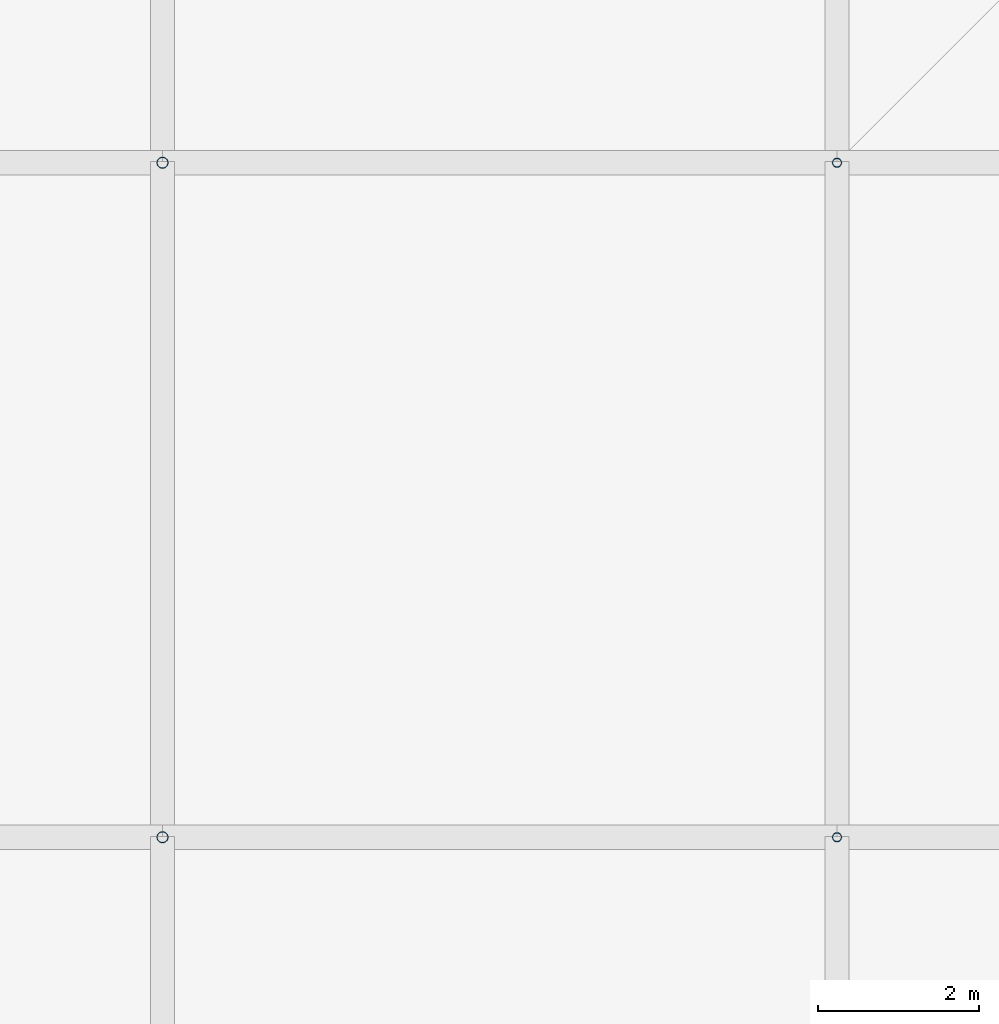
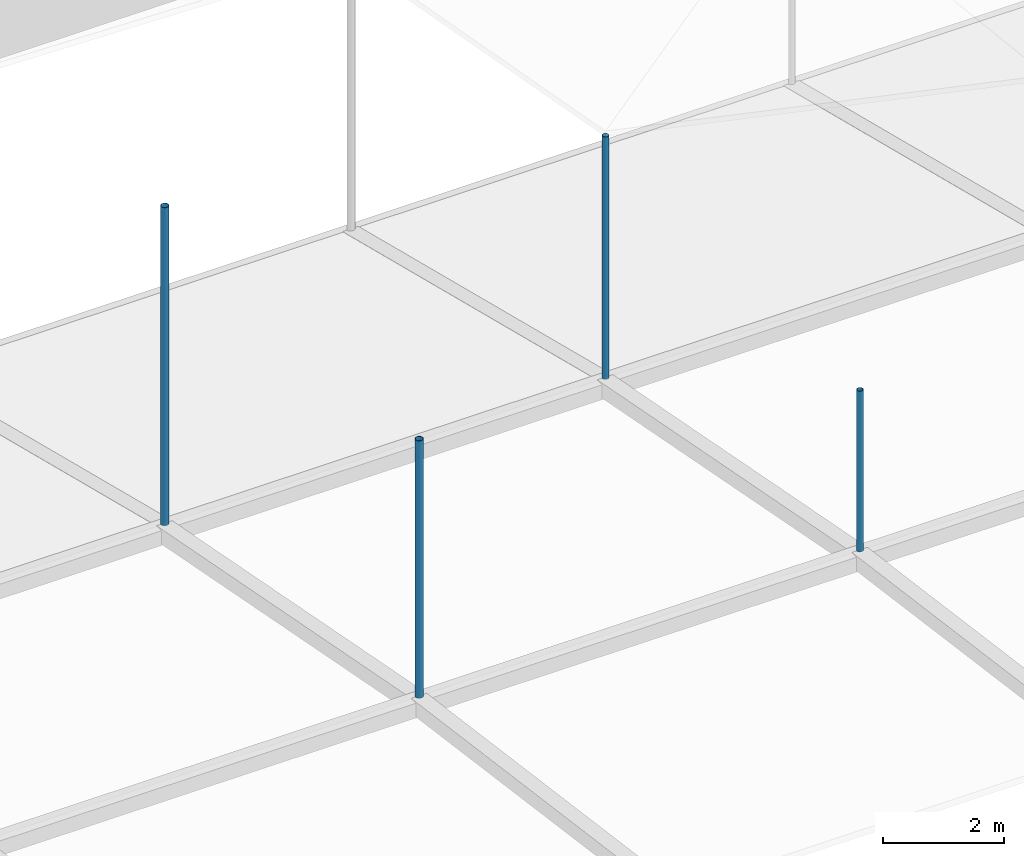
# One storey, part 61 of 111: 4 discrete accessories.
"""IFC4 building model written with IfcOpenShell, lengths in metres."""

from ifc_helpers import new_model, si_unit, direction, frame, origin, origin_2d, place, context, subcontext, project, spatial, hollow_circle, extrude, material, material_profile, profile_set, type_object, element, save


model = new_model("IFC4")

# Units and contexts
model_context = context("Model", 3, precision=1e-05, world=origin(), true_north=direction((0.0, 1.0)))
body_context = subcontext(model_context, "Body", "Model", "MODEL_VIEW")
ifc_project = project(units=[si_unit("LENGTHUNIT", "METRE"), si_unit("AREAUNIT", "SQUARE_METRE"), si_unit("VOLUMEUNIT", "CUBIC_METRE"), si_unit("PLANEANGLEUNIT", "RADIAN"), si_unit("MASSUNIT", "GRAM", prefix="KILO")], contexts=[model_context])

# Site, building, storey
site_placement = place(None, origin())
site = spatial("IfcSite", under=ifc_project, at=site_placement, CompositionType="ELEMENT")
building_placement = place(site_placement, origin())
building = spatial("IfcBuilding", under=site, at=building_placement, Name="Rain Tree Exposition and Congress Centre", CompositionType="ELEMENT")
storey_placement = place(building_placement, frame((0.0, 0.0, 19.5)))
storey = spatial("IfcBuildingStorey", under=building, at=storey_placement, Name="RF", CompositionType="ELEMENT", Elevation=19.5)

# Discrete accessories
ifc_material_1 = material(Name="Steel S355J2H", Category="steel")
ifc_material_profile_1 = material_profile(ifc_material_1, hollow_circle(Radius=0.05712890625, WallThickness=0.00439453125, at=origin_2d()), Name="CHS 114x4.5")
ifc_profile_set_1 = profile_set([ifc_material_profile_1], Name="Steel S355J2H")
discrete_accessory_type_1 = type_object("IfcDiscreteAccessoryType", Name="Roof skin post CHS 114x4.5", PredefinedType="BRACKET", material=ifc_profile_set_1)
discrete_accessory_1_placement = place(storey_placement, frame((109.199951171875, 176.39990234375, 4.843017578125), z_axis=(0.0, 0.0, 1.0), x_axis=(1.0, 0.0, 0.0)))
element("IfcDiscreteAccessory", 1, at=discrete_accessory_1_placement, inside=storey, type_object=discrete_accessory_type_1, Name="Roof skin post A148", PredefinedType="BRACKET", context=body_context, shape_type="SweptSolid", body=[
    extrude(hollow_circle(Radius=0.05712890625, WallThickness=0.00439453125, at=origin_2d()), origin(), (0.0, 0.0, 1.0), 3.2412109375),
])
discrete_accessory_2_placement = place(storey_placement, frame((109.199951171875, 184.800048828125, 3.22412109375), z_axis=(0.0, 0.0, 1.0), x_axis=(1.0, 0.0, 0.0)))
element("IfcDiscreteAccessory", 2, at=discrete_accessory_2_placement, inside=storey, type_object=discrete_accessory_type_1, Name="Roof skin post A163", PredefinedType="BRACKET", context=body_context, shape_type="SweptSolid", body=[
    extrude(hollow_circle(Radius=0.05712890625, WallThickness=0.00439453125, at=origin_2d()), origin(), (0.0, 0.0, 1.0), 4.889404296875),
])
ifc_material_2 = material(Name="Steel S355J2H", Category="steel")
ifc_material_profile_2 = material_profile(ifc_material_2, hollow_circle(Radius=0.06982421875, WallThickness=0.0048828125, at=origin_2d()), Name="CHS 140x5")
ifc_profile_set_2 = profile_set([ifc_material_profile_2], Name="Steel S355J2H")
discrete_accessory_type_2 = type_object("IfcDiscreteAccessoryType", Name="Roof skin post CHS 140x5", PredefinedType="BRACKET", material=ifc_profile_set_2)
discrete_accessory_3_placement = place(storey_placement, frame((100.800048828125, 176.39990234375, 4.843017578125), z_axis=(0.0, 0.0, 1.0), x_axis=(1.0, 0.0, 0.0)))
element("IfcDiscreteAccessory", 3, at=discrete_accessory_3_placement, inside=storey, type_object=discrete_accessory_type_2, Name="Roof skin post A147", PredefinedType="BRACKET", context=body_context, shape_type="SweptSolid", body=[
    extrude(hollow_circle(Radius=0.06982421875, WallThickness=0.0048828125, at=origin_2d()), origin(), (0.0, 0.0, 1.0), 5.19091796875),
])
discrete_accessory_4_placement = place(storey_placement, frame((100.800048828125, 184.800048828125, 3.22412109375), z_axis=(0.0, 0.0, 1.0), x_axis=(1.0, 0.0, 0.0)))
element("IfcDiscreteAccessory", 4, at=discrete_accessory_4_placement, inside=storey, type_object=discrete_accessory_type_2, Name="Roof skin post A162", PredefinedType="BRACKET", context=body_context, shape_type="SweptSolid", body=[
    extrude(hollow_circle(Radius=0.06982421875, WallThickness=0.0048828125, at=origin_2d()), origin(), (0.0, 0.0, 1.0), 6.41357421875),
])

save(model, "model.ifc")
